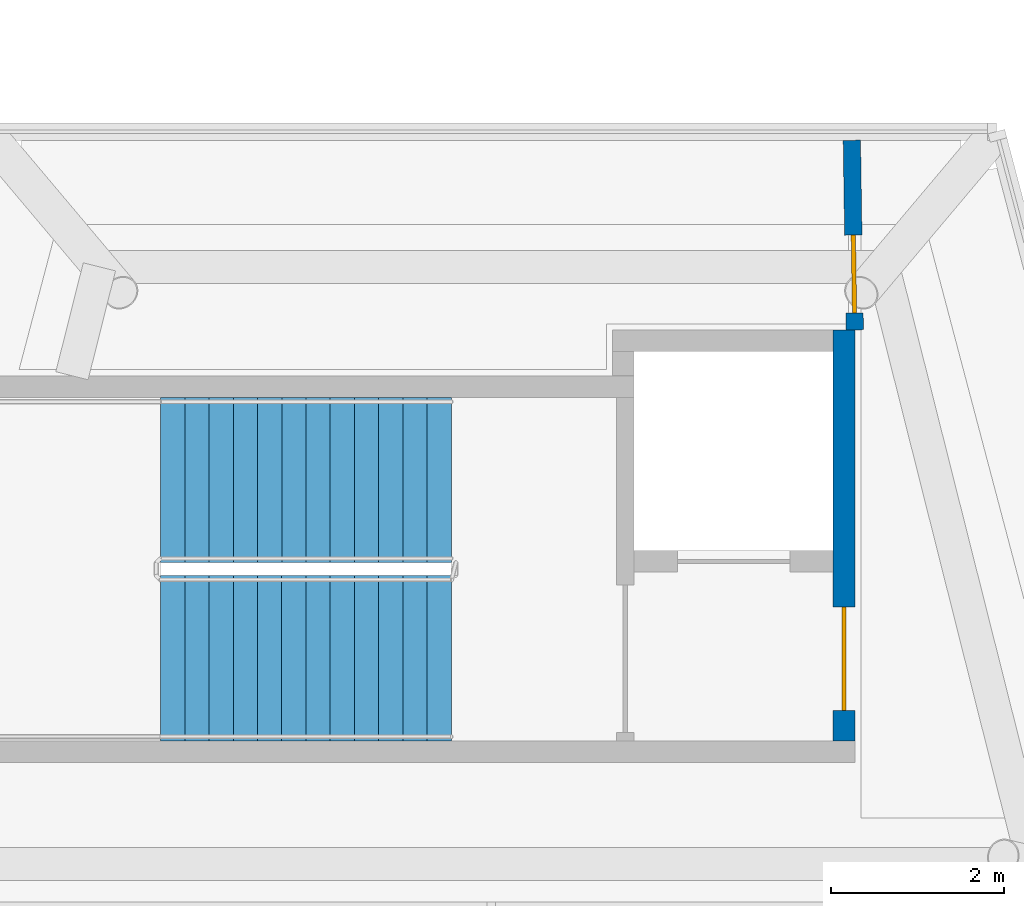
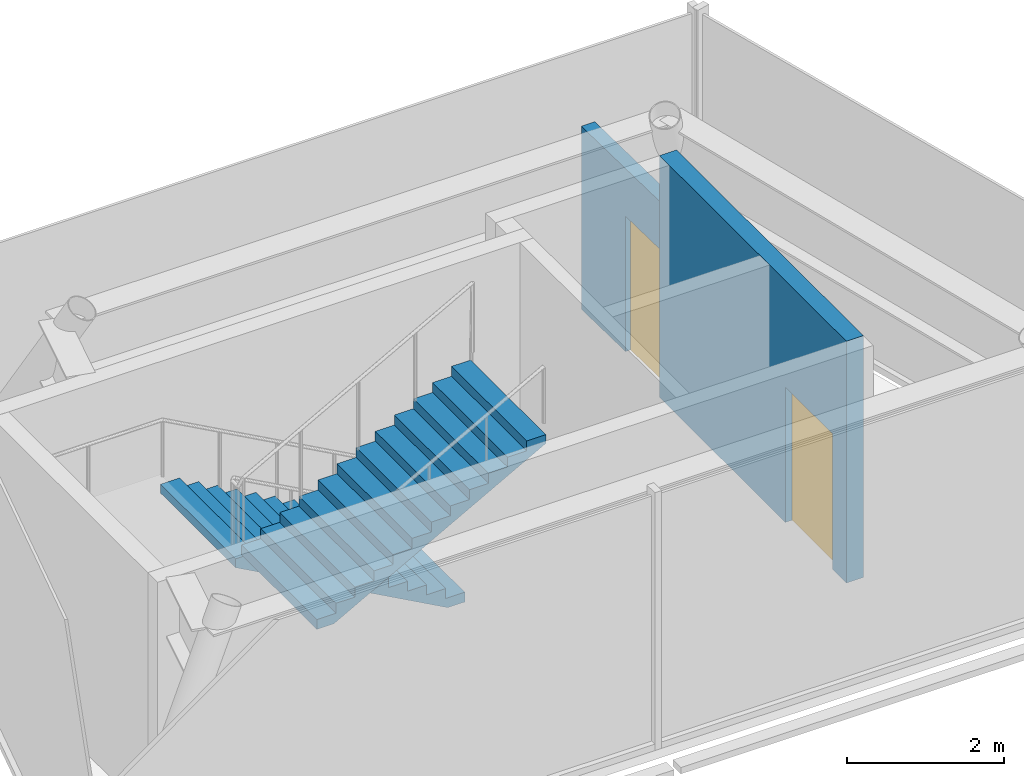
# One storey, part 2 of 3: 2 doors, 2 stair flights, 2 walls, 2 openings, 1 element without a shape of its own.
"""IFC4 building model written with IfcOpenShell, lengths in metres."""

from ifc_helpers import new_model, si_unit, direction, frame, frame_2d, origin, place, context, subcontext, project, spatial, polyline, rectangle, outline, extrude, material, layer, layer_set, type_object, element, fill, aggregate, save


model = new_model("IFC4")

# Units and contexts
model_context = context("Model", 3, precision=1e-05, world=origin(), true_north=direction((0.0, 1.0)))
body_context = subcontext(model_context, "Body", "Model", "MODEL_VIEW")
ifc_project = project(units=[si_unit("LENGTHUNIT", "METRE"), si_unit("AREAUNIT", "SQUARE_METRE"), si_unit("VOLUMEUNIT", "CUBIC_METRE"), si_unit("PLANEANGLEUNIT", "RADIAN"), si_unit("MASSUNIT", "GRAM", prefix="KILO")], contexts=[model_context])

# Site, building, storey
site_placement = place(None, origin())
site = spatial("IfcSite", under=ifc_project, at=site_placement, CompositionType="ELEMENT")
building_placement = place(site_placement, origin())
building = spatial("IfcBuilding", under=site, at=building_placement, Name="Quipu Civic Tower", CompositionType="ELEMENT")
storey_placement = place(building_placement, frame((0.0, 0.0, 388.0)))
storey = spatial("IfcBuildingStorey", under=building, at=storey_placement, Name="L90", CompositionType="ELEMENT", Elevation=388.0)

# Wall, opening, door
ifc_material_1 = material(Name="Fired clay blockwork", Category="masonry")
ifc_layer_1 = layer(ifc_material_1, 0.199951171875)
ifc_layer_set_1 = layer_set([ifc_layer_1], Name="Fired clay blockwork")
wall_type_1 = type_object("IfcWallType", Name="Blockwork wall 200", PredefinedType="SOLIDWALL", material=ifc_layer_set_1)
wall_1_placement = place(storey_placement, frame((4.199951171875, -1.449951171875, 0.0), z_axis=(0.0, 0.0, 1.0), x_axis=(-0.015494237908, 0.999879957091, 0.0)))
wall_1 = element("IfcWall", 1, at=wall_1_placement, inside=storey, type_object=wall_type_1, Name="Partition P01", PredefinedType="SOLIDWALL", context=body_context, shape_type="SweptSolid", body=[
    extrude(rectangle(XDim=2.190185546875, YDim=0.199951171875, at=frame_2d((1.09521484375, 0.0))), origin(), (0.0, 0.0, 1.0), 2.838134765625),
])
opening_1_placement = place(wall_1_placement, frame((0.19482421875, 0.0, 0.0)))
opening_1 = element("IfcOpeningElement", 2, at=opening_1_placement, cuts=wall_1, Name="Opening D001", PredefinedType="OPENING", context=body_context, shape_type="SweptSolid", body=[
    extrude(rectangle(XDim=0.89990234375, YDim=2.10009765625, at=frame_2d((0.449951171875, 1.050048828125))), frame((0.0, 0.10986328125, 0.0), z_axis=(0.0, -1.0, 0.0), x_axis=(1.0, 0.0, 0.0)), (0.0, 0.0, 1.0), 0.219970703125),
])
ifc_material_2 = material(Name="Fire rated timber door set with metal frame", Category="wood")
door_type_1 = type_object("IfcDoorType", Name="Single door 900 x 2100 FD60", OperationType="NOTDEFINED", PredefinedType="DOOR", material=ifc_material_2)
door_1_placement = place(opening_1_placement, origin())
door_1 = element("IfcDoor", 3, at=door_1_placement, inside=storey, type_object=door_type_1, Name="Door D001", OperationType="SINGLE_SWING_RIGHT", OverallHeight=2.10009765625, OverallWidth=0.89990234375, PredefinedType="DOOR", context=body_context, shape_type="SweptSolid", body=[
    extrude(rectangle(XDim=0.89990234375, YDim=2.10009765625, at=frame_2d((0.449951171875, 1.050048828125))), frame((0.0, 0.02490234375, 0.0), z_axis=(0.0, -1.0, 0.0), x_axis=(1.0, 0.0, 0.0)), (0.0, 0.0, 1.0), 0.050048828125),
])
fill(opening_1, door_1)

ifc_material_3 = material(Name="Concrete C70/85", Category="concrete")
ifc_layer_2 = layer(ifc_material_3, 0.25)
ifc_layer_set_2 = layer_set([ifc_layer_2], Name="Concrete C70/85")
wall_type_2 = type_object("IfcWallType", Name="Core wall 250", PredefinedType="SHEAR", material=ifc_layer_set_2)
wall_2_placement = place(storey_placement, frame((4.074951171875, -6.199951171875, 0.0), z_axis=(0.0, 0.0, 1.0), x_axis=(0.0, 1.0, 0.0)))
wall_2 = element("IfcWall", 4, at=wall_2_placement, inside=storey, type_object=wall_type_2, Name="Core wall", PredefinedType="SHEAR", context=body_context, shape_type="SweptSolid", body=[
    extrude(rectangle(XDim=4.75, YDim=0.25, at=frame_2d((2.375, 0.0))), origin(), (0.0, 0.0, 1.0), 3.75),
])
opening_2_placement = place(wall_2_placement, frame((0.35009765625, 0.0, 0.0)))
opening_2 = element("IfcOpeningElement", 5, at=opening_2_placement, cuts=wall_2, Name="Opening CD-02", PredefinedType="OPENING", context=body_context, shape_type="SweptSolid", body=[
    extrude(rectangle(XDim=1.199951171875, YDim=2.10009765625, at=frame_2d((0.60009765625, 1.050048828125))), frame((0.0, 0.135009765625, 0.0), z_axis=(0.0, -1.0, 0.0), x_axis=(1.0, 0.0, 0.0)), (0.0, 0.0, 1.0), 0.27001953125),
])
ifc_material_4 = material(Name="Fire rated steel door", Category="steel")
door_type_2 = type_object("IfcDoorType", Name="Fire door FD90 1200 x 2100", OperationType="NOTDEFINED", PredefinedType="DOOR", material=ifc_material_4)
door_2_placement = place(opening_2_placement, origin())
door_2 = element("IfcDoor", 6, at=door_2_placement, inside=storey, type_object=door_type_2, Name="Lobby door", OperationType="SINGLE_SWING_LEFT", OverallHeight=2.10009765625, OverallWidth=1.199951171875, PredefinedType="DOOR", context=body_context, shape_type="SweptSolid", body=[
    extrude(rectangle(XDim=1.199951171875, YDim=2.10009765625, at=frame_2d((0.60009765625, 1.050048828125))), frame((0.0, 0.02490234375, 0.0), z_axis=(0.0, -1.0, 0.0), x_axis=(1.0, 0.0, 0.0)), (0.0, 0.0, 1.0), 0.050048828125),
])
fill(opening_2, door_2)

# Stair, stair flights
ifc_material_5 = material(Name="Concrete C40/50", Category="concrete")
stair_type = type_object("IfcStairType", Name="Half turn stair 1910", PredefinedType="HALF_TURN_STAIR", material=ifc_material_5)
stair_placement = place(storey_placement, origin())
stair = element("IfcStair", 7, at=stair_placement, inside=storey, type_object=stair_type, Name="Crown access stair", PredefinedType="HALF_TURN_STAIR")
ifc_material_6 = material(Name="Concrete C40/50", Category="concrete")
stair_flight_type = type_object("IfcStairFlightType", Name="Stair flight 1910", PredefinedType="STRAIGHT", material=ifc_material_6)
stair_flight_1_placement = place(storey_placement, frame((-0.4599609375, -3.18505859375, 0.0), z_axis=(0.0, 0.0, 1.0), x_axis=(-1.0, 0.0, 0.0)))
stair_flight_1 = element("IfcStairFlight", 8, at=stair_flight_1_placement, type_object=stair_flight_type, Name="ST-5 flight 1", NumberOfRisers=13, NumberOfTreads=12, PredefinedType="STRAIGHT", RiserHeight=0.153846154, TreadLength=0.28, context=body_context, shape_type="SweptSolid", body=[
    extrude(outline(polyline([(0.0, 0.0), (0.0, 0.15380859375), (0.280029296875, 0.15380859375), (0.280029296875, 0.3076171875), (0.56005859375, 0.3076171875), (0.56005859375, 0.46142578125), (0.840087890625, 0.46142578125), (0.840087890625, 0.615478515625), (1.1201171875, 0.615478515625), (1.1201171875, 0.769287109375), (1.39990234375, 0.769287109375), (1.39990234375, 0.923095703125), (1.679931640625, 0.923095703125), (1.679931640625, 1.076904296875), (1.9599609375, 1.076904296875), (1.9599609375, 1.230712890625), (2.239990234375, 1.230712890625), (2.239990234375, 1.384521484375), (2.52001953125, 1.384521484375), (2.52001953125, 1.53857421875), (2.800048828125, 1.53857421875), (2.800048828125, 1.6923828125), (3.080078125, 1.6923828125), (3.080078125, 1.84619140625), (3.360107421875, 1.84619140625), (3.360107421875, 2.0), (3.360107421875, 1.708984375), (0.24951171875, 0.0), (0.0, 0.0)])), frame((0.0, 0.955078125, 0.0), z_axis=(0.0, -1.0, 0.0), x_axis=(1.0, 0.0, 0.0)), (0.0, 0.0, 1.0), 1.909912109375),
])
stair_flight_2_placement = place(storey_placement, frame((-3.820068359375, -5.2451171875, 2.0), z_axis=(0.0, 0.0, 1.0), x_axis=(1.0, 0.0, 0.0)))
stair_flight_2 = element("IfcStairFlight", 9, at=stair_flight_2_placement, type_object=stair_flight_type, Name="ST-5 flight 2", NumberOfRisers=13, NumberOfTreads=12, PredefinedType="STRAIGHT", RiserHeight=0.153846154, TreadLength=0.28, context=body_context, shape_type="SweptSolid", body=[
    extrude(outline(polyline([(0.0, 0.0), (0.0, 0.15380859375), (0.280029296875, 0.15380859375), (0.280029296875, 0.3076171875), (0.56005859375, 0.3076171875), (0.56005859375, 0.46142578125), (0.840087890625, 0.46142578125), (0.840087890625, 0.615478515625), (1.1201171875, 0.615478515625), (1.1201171875, 0.769287109375), (1.39990234375, 0.769287109375), (1.39990234375, 0.923095703125), (1.679931640625, 0.923095703125), (1.679931640625, 1.076904296875), (1.9599609375, 1.076904296875), (1.9599609375, 1.230712890625), (2.239990234375, 1.230712890625), (2.239990234375, 1.384521484375), (2.52001953125, 1.384521484375), (2.52001953125, 1.53857421875), (2.800048828125, 1.53857421875), (2.800048828125, 1.6923828125), (3.080078125, 1.6923828125), (3.080078125, 1.84619140625), (3.360107421875, 1.84619140625), (3.360107421875, 2.0), (3.360107421875, 1.708984375), (0.24951171875, 0.0), (0.0, 0.0)])), frame((0.0, 0.955078125, 0.0), z_axis=(0.0, -1.0, 0.0), x_axis=(1.0, 0.0, 0.0)), (0.0, 0.0, 1.0), 1.909912109375),
])
aggregate(stair, [stair_flight_1, stair_flight_2])

save(model, "model.ifc")
